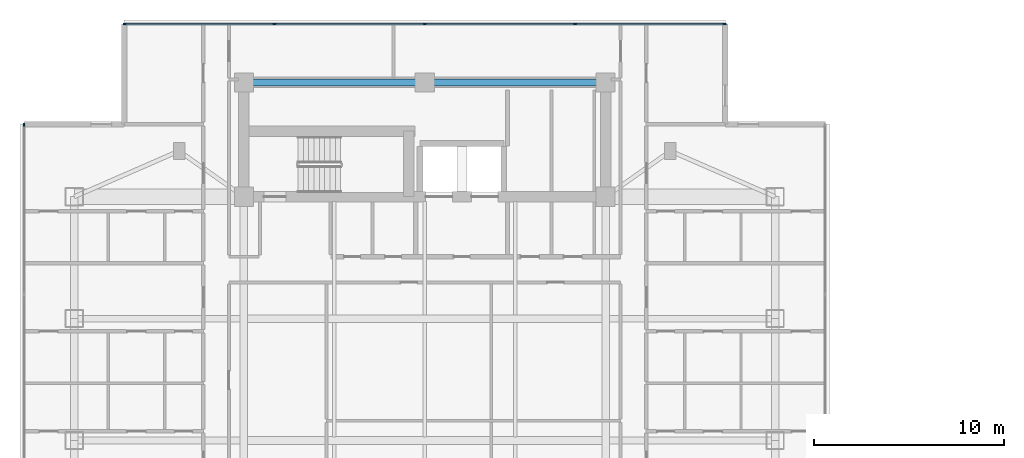
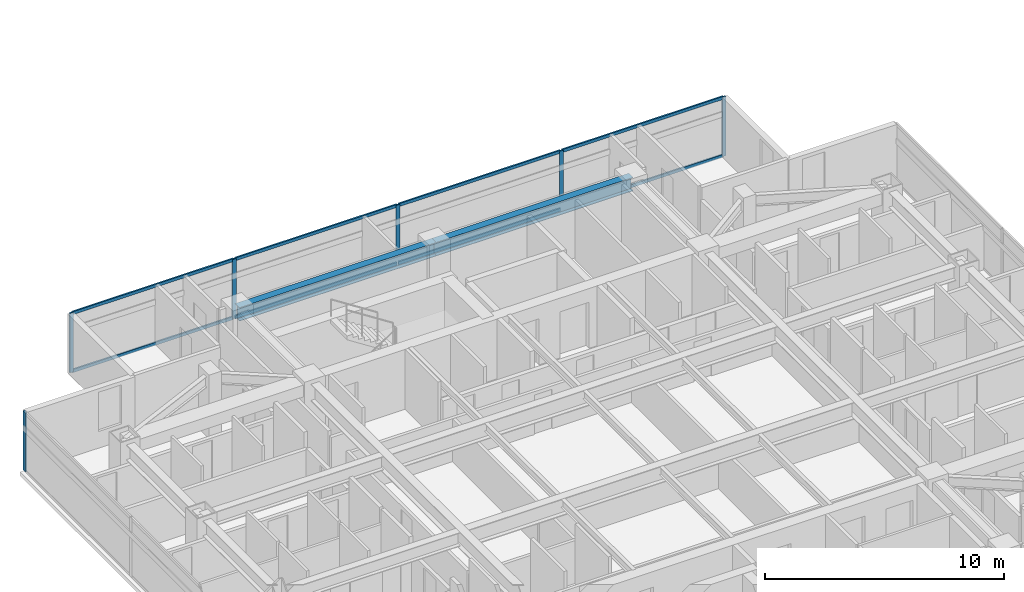
# One storey, part 7 of 26: 14 members, 2 beams, 2 elements without a shape of their own.
"""IFC4 building model written with IfcOpenShell, lengths in metres."""

from ifc_helpers import new_model, si_unit, direction, frame, origin, origin_2d, place, context, subcontext, project, spatial, rectangle, i_section, extrude, material, material_profile, profile_set, type_object, element, aggregate, save


model = new_model("IFC4")

# Units and contexts
model_context = context("Model", 3, precision=1e-05, world=origin(), true_north=direction((0.0, 1.0)))
body_context = subcontext(model_context, "Body", "Model", "MODEL_VIEW")
ifc_project = project(units=[si_unit("LENGTHUNIT", "METRE"), si_unit("AREAUNIT", "SQUARE_METRE"), si_unit("VOLUMEUNIT", "CUBIC_METRE"), si_unit("PLANEANGLEUNIT", "RADIAN"), si_unit("MASSUNIT", "GRAM", prefix="KILO")], contexts=[model_context])

# Site, building, storey
site_placement = place(None, origin())
site = spatial("IfcSite", under=ifc_project, at=site_placement, CompositionType="ELEMENT")
building_placement = place(site_placement, origin())
building = spatial("IfcBuilding", under=site, at=building_placement, Name="Mirazonda Arch Towers", CompositionType="ELEMENT")
storey_placement = place(building_placement, frame((0.0, 0.0, 170.64990234375)))
storey = spatial("IfcBuildingStorey", under=building, at=storey_placement, Name="L48", CompositionType="ELEMENT", Elevation=170.64990234375)

# Beams
ifc_material_1 = material(Name="Steel ASTM A992 Grade 50", Category="steel")
ifc_material_profile_1 = material_profile(ifc_material_1, i_section(OverallWidth=0.35498046875, OverallDepth=0.696044921875, WebThickness=0.015380859375, FlangeThickness=0.02490234375, at=origin_2d()), Name="W27X146")
ifc_profile_set_1 = profile_set([ifc_material_profile_1], Name="Steel ASTM A992 Grade 50")
beam_type = type_object("IfcBeamType", Name="BM-INT-W27X146", PredefinedType="BEAM", material=ifc_profile_set_1)
for number, where, z_axis, x_axis, name in (
    (1, (11.0, 43.60009765625, 2.7021484375), (1.0, 0.0, 0.0), (0.0, 1.0, 0.0), "L48 Floor Beam BM-T1-L48-CN1"),
    (2, (20.5, 43.60009765625, 2.7021484375), (1.0, 0.0, 0.0), (0.0, 1.0, 0.0), "L48 Floor Beam BM-T1-L48-CN2"),
):
    element("IfcBeam", number, at=place(storey_placement, frame(where, z_axis=z_axis, x_axis=x_axis)), inside=storey, type_object=beam_type, Name=name, PredefinedType="BEAM", context=body_context, shape_type="SweptSolid", body=[
        extrude(i_section(OverallWidth=0.35498046875, OverallDepth=0.696044921875, WebThickness=0.015380859375, FlangeThickness=0.02490234375, at=origin_2d()), origin(), (0.0, 0.0, 1.0), 9.5),
    ])

# Curtain wall, members
ifc_material_2 = material(Name="Anodised Aluminium and Low-E Glass", Category="aluminium")
curtain_wall_type = type_object("IfcCurtainWallType", Name="CW-RES-UNIT", PredefinedType="NOTDEFINED", material=ifc_material_2)
curtain_wall_1_placement = place(storey_placement, origin())
curtain_wall_1 = element("IfcCurtainWall", 3, at=curtain_wall_1_placement, inside=storey, type_object=curtain_wall_type, Name="L48 T1 N Facade CW-L48-T1-N", PredefinedType="NOTDEFINED")
ifc_material_3 = material(Name="Anodised Aluminium Alloy", Category="aluminium")
ifc_material_profile_2 = material_profile(ifc_material_3, rectangle(XDim=0.074951171875, YDim=0.175048828125, at=origin_2d()), Name="ALU-MULL-75x175")
ifc_profile_set_2 = profile_set([ifc_material_profile_2], Name="Anodised Aluminium Alloy")
member_type_1 = type_object("IfcMemberType", Name="MULL-CW-RES-UNIT", PredefinedType="MULLION", material=ifc_profile_set_2)
member_1_placement = place(storey_placement, frame((4.75244140625, 46.659912109375, 0.0), z_axis=(0.0, 0.0, 1.0), x_axis=(0.0, 1.0, 0.0)))
member_1 = element("IfcMember", 4, at=member_1_placement, type_object=member_type_1, Name="CW-104 mullion 1", PredefinedType="MULLION", context=body_context, shape_type="SweptSolid", body=[
    extrude(rectangle(XDim=0.074951171875, YDim=0.175048828125, at=origin_2d()), origin(), (0.0, 0.0, 1.0), 3.030029296875),
])
member_2_placement = place(storey_placement, frame((12.607421875, 46.659912109375, 0.0), z_axis=(0.0, 0.0, 1.0), x_axis=(0.0, 1.0, 0.0)))
member_2 = element("IfcMember", 5, at=member_2_placement, type_object=member_type_1, Name="CW-104 mullion 2", PredefinedType="MULLION", context=body_context, shape_type="SweptSolid", body=[
    extrude(rectangle(XDim=0.074951171875, YDim=0.175048828125, at=origin_2d()), origin(), (0.0, 0.0, 1.0), 3.030029296875),
])
member_3_placement = place(storey_placement, frame((20.5, 46.659912109375, 0.0), z_axis=(0.0, 0.0, 1.0), x_axis=(0.0, 1.0, 0.0)))
member_3 = element("IfcMember", 6, at=member_3_placement, type_object=member_type_1, Name="CW-104 mullion 3", PredefinedType="MULLION", context=body_context, shape_type="SweptSolid", body=[
    extrude(rectangle(XDim=0.074951171875, YDim=0.175048828125, at=origin_2d()), origin(), (0.0, 0.0, 1.0), 3.030029296875),
])
member_4_placement = place(storey_placement, frame((28.392578125, 46.659912109375, 0.0), z_axis=(0.0, 0.0, 1.0), x_axis=(0.0, 1.0, 0.0)))
member_4 = element("IfcMember", 7, at=member_4_placement, type_object=member_type_1, Name="CW-104 mullion 4", PredefinedType="MULLION", context=body_context, shape_type="SweptSolid", body=[
    extrude(rectangle(XDim=0.074951171875, YDim=0.175048828125, at=origin_2d()), origin(), (0.0, 0.0, 1.0), 3.030029296875),
])
member_5_placement = place(storey_placement, frame((36.24755859375, 46.659912109375, 0.0), z_axis=(0.0, 0.0, 1.0), x_axis=(0.0, 1.0, 0.0)))
member_5 = element("IfcMember", 8, at=member_5_placement, type_object=member_type_1, Name="CW-104 mullion 5", PredefinedType="MULLION", context=body_context, shape_type="SweptSolid", body=[
    extrude(rectangle(XDim=0.074951171875, YDim=0.175048828125, at=origin_2d()), origin(), (0.0, 0.0, 1.0), 3.030029296875),
])

# Curtain wall, member
curtain_wall_2_placement = place(storey_placement, origin())
curtain_wall_2 = element("IfcCurtainWall", 9, at=curtain_wall_2_placement, inside=storey, type_object=curtain_wall_type, Name="L48 T1 W Facade CW-L48-T1-W", PredefinedType="NOTDEFINED")
member_6_placement = place(storey_placement, frame((-0.530029296875, 41.37744140625, 0.0), z_axis=(0.0, 0.0, 1.0), x_axis=(1.0, 0.0, 0.0)))
member_6 = element("IfcMember", 10, at=member_6_placement, type_object=member_type_1, Name="CW-104 mullion 1", PredefinedType="MULLION", context=body_context, shape_type="SweptSolid", body=[
    extrude(rectangle(XDim=0.074951171875, YDim=0.175048828125, at=origin_2d()), origin(), (0.0, 0.0, 1.0), 3.030029296875),
])
aggregate(curtain_wall_2, [member_6])

# Member
ifc_material_profile_3 = material_profile(ifc_material_3, rectangle(XDim=0.074951171875, YDim=0.155029296875, at=origin_2d()), Name="ALU-TRAN-75x155")
ifc_profile_set_3 = profile_set([ifc_material_profile_3], Name="Anodised Aluminium Alloy")
member_type_2 = type_object("IfcMemberType", Name="TRAN-CW-RES-UNIT", PredefinedType="USERDEFINED", material=ifc_profile_set_3)
member_7_placement = place(storey_placement, frame((4.7900390625, 46.659912109375, 0.03759765625), z_axis=(1.0, 0.0, 0.0), x_axis=(0.0, 1.0, 0.0)))
member_7 = element("IfcMember", 11, at=member_7_placement, type_object=member_type_2, Name="CW-104 transom 1.1", ObjectType="TRANSOM", PredefinedType="USERDEFINED", context=body_context, shape_type="SweptSolid", body=[
    extrude(rectangle(XDim=0.074951171875, YDim=0.155029296875, at=origin_2d()), origin(), (0.0, 0.0, 1.0), 7.780029296875),
])

member_8_placement = place(storey_placement, frame((4.7900390625, 46.659912109375, 2.99267578125), z_axis=(1.0, 0.0, 0.0), x_axis=(0.0, 1.0, 0.0)))
member_8 = element("IfcMember", 12, at=member_8_placement, type_object=member_type_2, Name="CW-104 transom 1.2", ObjectType="TRANSOM", PredefinedType="USERDEFINED", context=body_context, shape_type="SweptSolid", body=[
    extrude(rectangle(XDim=0.074951171875, YDim=0.155029296875, at=origin_2d()), origin(), (0.0, 0.0, 1.0), 7.780029296875),
])

member_9_placement = place(storey_placement, frame((12.64501953125, 46.659912109375, 0.03759765625), z_axis=(1.0, 0.0, 0.0), x_axis=(0.0, 1.0, 0.0)))
member_9 = element("IfcMember", 13, at=member_9_placement, type_object=member_type_2, Name="CW-104 transom 2.1", ObjectType="TRANSOM", PredefinedType="USERDEFINED", context=body_context, shape_type="SweptSolid", body=[
    extrude(rectangle(XDim=0.074951171875, YDim=0.155029296875, at=origin_2d()), origin(), (0.0, 0.0, 1.0), 7.8173828125),
])

member_10_placement = place(storey_placement, frame((12.64501953125, 46.659912109375, 2.99267578125), z_axis=(1.0, 0.0, 0.0), x_axis=(0.0, 1.0, 0.0)))
member_10 = element("IfcMember", 14, at=member_10_placement, type_object=member_type_2, Name="CW-104 transom 2.2", ObjectType="TRANSOM", PredefinedType="USERDEFINED", context=body_context, shape_type="SweptSolid", body=[
    extrude(rectangle(XDim=0.074951171875, YDim=0.155029296875, at=origin_2d()), origin(), (0.0, 0.0, 1.0), 7.8173828125),
])

member_11_placement = place(storey_placement, frame((20.53759765625, 46.659912109375, 0.03759765625), z_axis=(1.0, 0.0, 0.0), x_axis=(0.0, 1.0, 0.0)))
member_11 = element("IfcMember", 15, at=member_11_placement, type_object=member_type_2, Name="CW-104 transom 3.1", ObjectType="TRANSOM", PredefinedType="USERDEFINED", context=body_context, shape_type="SweptSolid", body=[
    extrude(rectangle(XDim=0.074951171875, YDim=0.155029296875, at=origin_2d()), origin(), (0.0, 0.0, 1.0), 7.8173828125),
])

member_12_placement = place(storey_placement, frame((20.53759765625, 46.659912109375, 2.99267578125), z_axis=(1.0, 0.0, 0.0), x_axis=(0.0, 1.0, 0.0)))
member_12 = element("IfcMember", 16, at=member_12_placement, type_object=member_type_2, Name="CW-104 transom 3.2", ObjectType="TRANSOM", PredefinedType="USERDEFINED", context=body_context, shape_type="SweptSolid", body=[
    extrude(rectangle(XDim=0.074951171875, YDim=0.155029296875, at=origin_2d()), origin(), (0.0, 0.0, 1.0), 7.8173828125),
])

member_13_placement = place(storey_placement, frame((28.429931640625, 46.659912109375, 0.03759765625), z_axis=(1.0, 0.0, 0.0), x_axis=(0.0, 1.0, 0.0)))
member_13 = element("IfcMember", 17, at=member_13_placement, type_object=member_type_2, Name="CW-104 transom 4.1", ObjectType="TRANSOM", PredefinedType="USERDEFINED", context=body_context, shape_type="SweptSolid", body=[
    extrude(rectangle(XDim=0.074951171875, YDim=0.155029296875, at=origin_2d()), origin(), (0.0, 0.0, 1.0), 7.780029296875),
])

member_14_placement = place(storey_placement, frame((28.429931640625, 46.659912109375, 2.99267578125), z_axis=(1.0, 0.0, 0.0), x_axis=(0.0, 1.0, 0.0)))
member_14 = element("IfcMember", 18, at=member_14_placement, type_object=member_type_2, Name="CW-104 transom 4.2", ObjectType="TRANSOM", PredefinedType="USERDEFINED", context=body_context, shape_type="SweptSolid", body=[
    extrude(rectangle(XDim=0.074951171875, YDim=0.155029296875, at=origin_2d()), origin(), (0.0, 0.0, 1.0), 7.780029296875),
])

aggregate(curtain_wall_1, [member_1, member_2, member_3, member_4, member_5, member_7, member_8, member_9, member_10, member_11, member_12, member_13, member_14])

save(model, "model.ifc")
